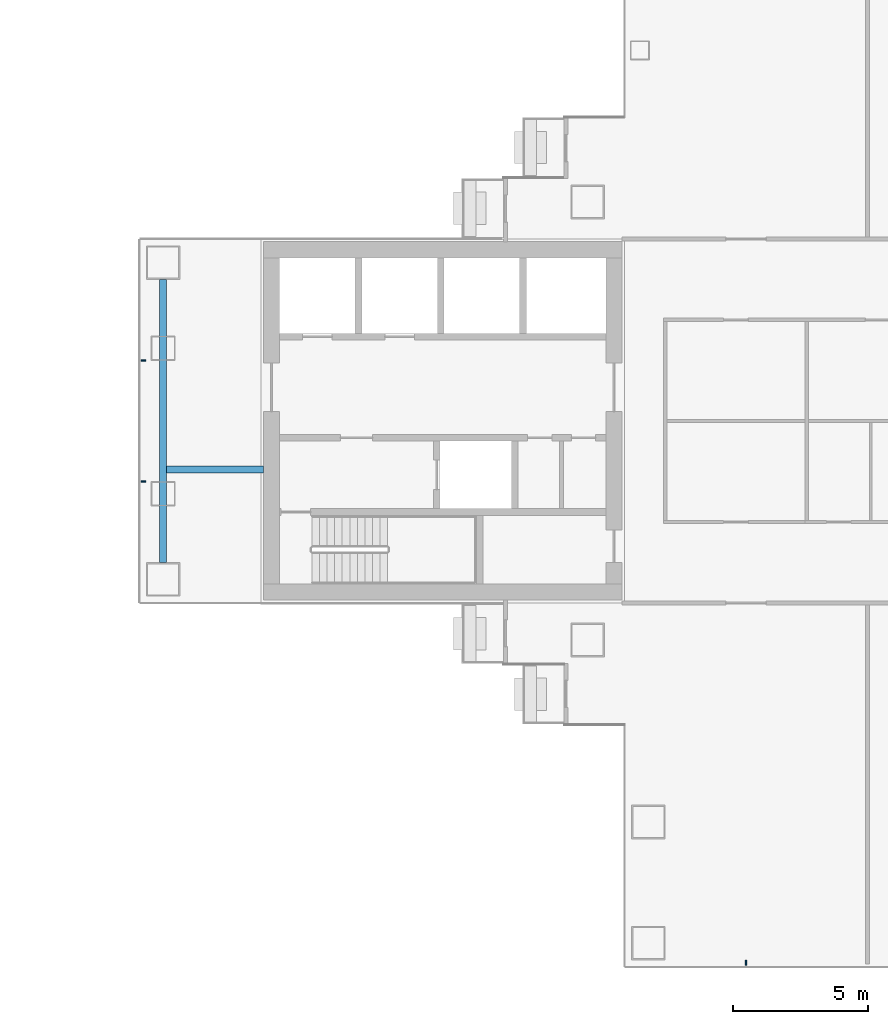
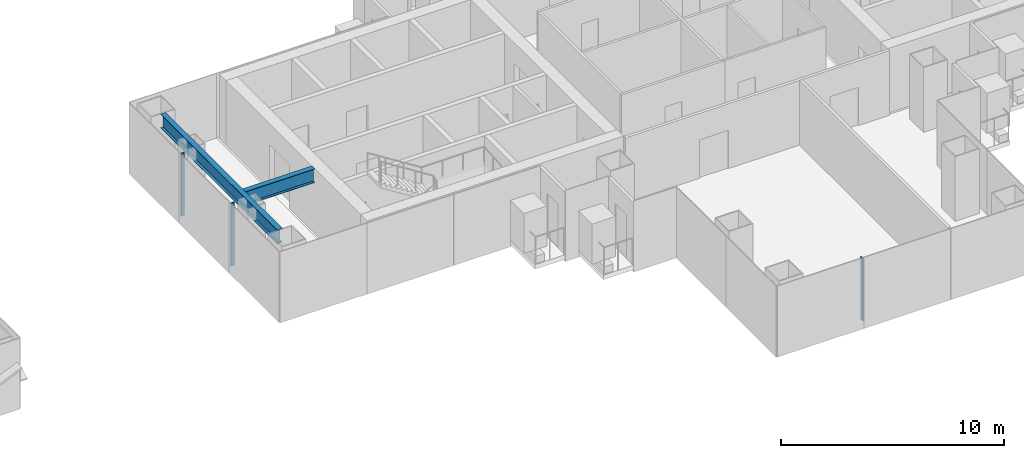
# One storey, part 5 of 19: 3 members, 2 beams, 2 elements without a shape of their own.
"""IFC4 building model written with IfcOpenShell, lengths in metres."""

from ifc_helpers import new_model, si_unit, direction, frame, origin, origin_2d, place, context, subcontext, project, spatial, rectangle, i_section, extrude, material, layer, layer_set, material_profile, profile_set, type_object, element, aggregate, save


model = new_model("IFC4")

# Units and contexts
model_context = context("Model", 3, precision=1e-05, world=origin(), true_north=direction((0.0, 1.0)))
body_context = subcontext(model_context, "Body", "Model", "MODEL_VIEW")
ifc_project = project(units=[si_unit("LENGTHUNIT", "METRE"), si_unit("AREAUNIT", "SQUARE_METRE"), si_unit("VOLUMEUNIT", "CUBIC_METRE"), si_unit("PLANEANGLEUNIT", "RADIAN"), si_unit("MASSUNIT", "GRAM", prefix="KILO")], contexts=[model_context])

# Site, building, storey
site_placement = place(None, origin())
site = spatial("IfcSite", under=ifc_project, at=site_placement, CompositionType="ELEMENT")
building_placement = place(site_placement, origin())
building = spatial("IfcBuilding", under=site, at=building_placement, Name="Shamsa Quay Exchange Towers", CompositionType="ELEMENT")
storey_placement = place(building_placement, frame((0.0, 0.0, 89.699951171875)))
storey = spatial("IfcBuildingStorey", under=building, at=storey_placement, Name="L20", CompositionType="ELEMENT", Elevation=89.699951171875)

# Curtain wall, members
ifc_material_1 = material(Name="Aluminium EN AW-6063 T6, black anodised", Category="aluminium")
ifc_layer = layer(ifc_material_1, 0.280029296875)
ifc_layer_set = layer_set([ifc_layer], Name="CW-1 UNITISED VISION GLASS")
curtain_wall_type = type_object("IfcCurtainWallType", Name="CW-1 UNITISED VISION GLASS", PredefinedType="NOTDEFINED", material=ifc_layer_set)
curtain_wall_1_placement = place(storey_placement, origin())
curtain_wall_1 = element("IfcCurtainWall", 1, at=curtain_wall_1_placement, inside=storey, type_object=curtain_wall_type, Name="CW1 T2-END-V+ L20", PredefinedType="NOTDEFINED")
ifc_material_profile_1 = material_profile(ifc_material_1, rectangle(XDim=0.179931640625, YDim=0.06005859375, at=origin_2d()), Name="MU60x180")
ifc_profile_set_1 = profile_set([ifc_material_profile_1], Name="Aluminium EN AW-6063 T6, black anodised")
member_type = type_object("IfcMemberType", Name="CW1 MULLION 60x180", PredefinedType="MULLION", material=ifc_profile_set_1)
member_1_placement = place(storey_placement, frame((9.14990234375, 2.25, 0.0)))
member_1 = element("IfcMember", 2, at=member_1_placement, type_object=member_type, Name="CW1 mullion", PredefinedType="MULLION", context=body_context, shape_type="SweptSolid", body=[
    extrude(rectangle(XDim=0.179931640625, YDim=0.06005859375, at=origin_2d()), origin(), (0.0, 0.0, 1.0), 3.449951171875),
])
member_2_placement = place(storey_placement, frame((9.14990234375, -2.25, 0.0)))
member_2 = element("IfcMember", 3, at=member_2_placement, type_object=member_type, Name="CW1 mullion", PredefinedType="MULLION", context=body_context, shape_type="SweptSolid", body=[
    extrude(rectangle(XDim=0.179931640625, YDim=0.06005859375, at=origin_2d()), origin(), (0.0, 0.0, 1.0), 3.449951171875),
])
aggregate(curtain_wall_1, [member_1, member_2])

# Curtain wall, member
curtain_wall_2_placement = place(storey_placement, origin())
curtain_wall_2 = element("IfcCurtainWall", 4, at=curtain_wall_2_placement, inside=storey, type_object=curtain_wall_type, Name="CW1 T2-END-U- L20", PredefinedType="NOTDEFINED")
member_3_placement = place(storey_placement, frame((31.5, -20.10009765625, 0.0), z_axis=(0.0, 0.0, 1.0), x_axis=(0.0, 1.0, 0.0)))
member_3 = element("IfcMember", 5, at=member_3_placement, type_object=member_type, Name="CW1 mullion", PredefinedType="MULLION", context=body_context, shape_type="SweptSolid", body=[
    extrude(rectangle(XDim=0.179931640625, YDim=0.06005859375, at=origin_2d()), origin(), (0.0, 0.0, 1.0), 3.449951171875),
])
aggregate(curtain_wall_2, [member_3])

# Beams
ifc_material_2 = material(Name="Steel S355", Category="steel")
ifc_material_profile_2 = material_profile(ifc_material_2, i_section(OverallWidth=0.26611328125, OverallDepth=0.7578125, WebThickness=0.013916015625, FlangeThickness=0.019287109375, at=origin_2d()), Name="W30x108")
ifc_profile_set_2 = profile_set([ifc_material_profile_2], Name="Steel S355")
beam_type = type_object("IfcBeamType", Name="End-zone beam W30x108", PredefinedType="BEAM", material=ifc_profile_set_2)
beam_1_placement = place(storey_placement, frame((9.875, -5.25, 3.171142578125), z_axis=(0.0, 1.0, 0.0), x_axis=(-1.0, 0.0, 0.0)))
element("IfcBeam", 6, at=beam_1_placement, inside=storey, type_object=beam_type, Name="End beam T2 V+ end zone L20", PredefinedType="BEAM", context=body_context, shape_type="SweptSolid", body=[
    extrude(i_section(OverallWidth=0.26611328125, OverallDepth=0.7578125, WebThickness=0.013916015625, FlangeThickness=0.019287109375, at=origin_2d()), origin(), (0.0, 0.0, 1.0), 10.5),
])
beam_2_placement = place(storey_placement, frame((13.60009765625, -1.800048828125, 3.171142578125), z_axis=(-1.0, 0.0, 0.0), x_axis=(0.0, -1.0, 0.0)))
element("IfcBeam", 7, at=beam_2_placement, inside=storey, type_object=beam_type, Name="Spine beam T2 V+ end zone L20", PredefinedType="BEAM", context=body_context, shape_type="SweptSolid", body=[
    extrude(i_section(OverallWidth=0.26611328125, OverallDepth=0.7578125, WebThickness=0.013916015625, FlangeThickness=0.019287109375, at=origin_2d()), origin(), (0.0, 0.0, 1.0), 3.592041015625),
])

save(model, "model.ifc")
